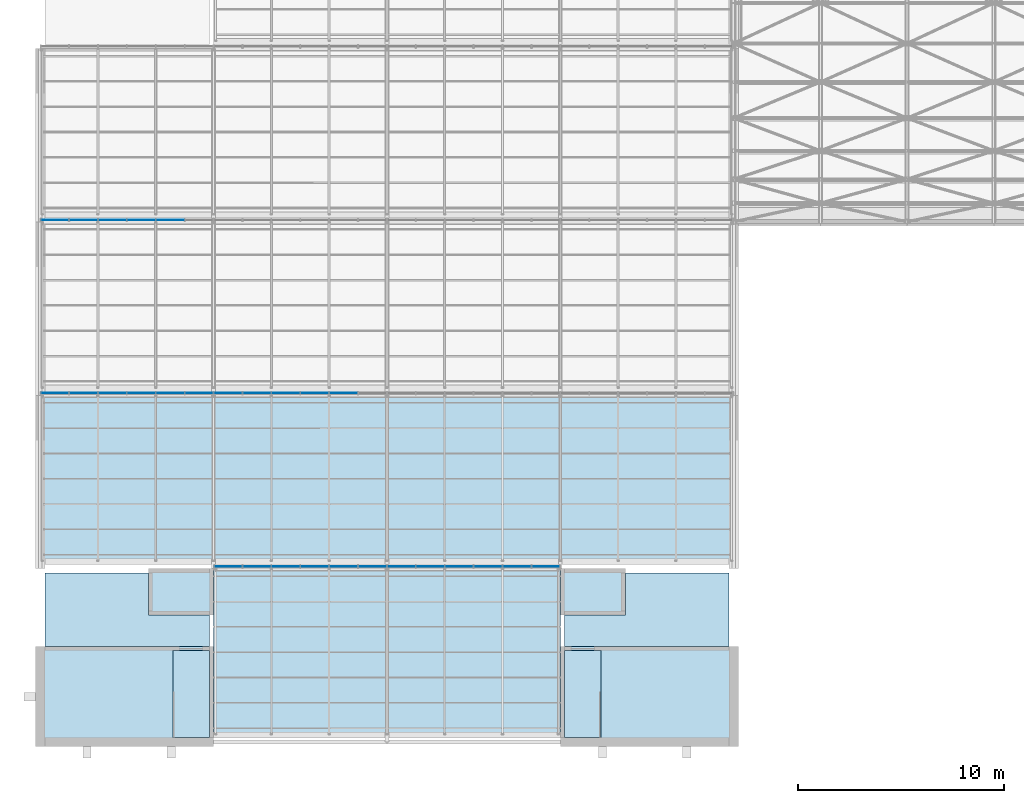
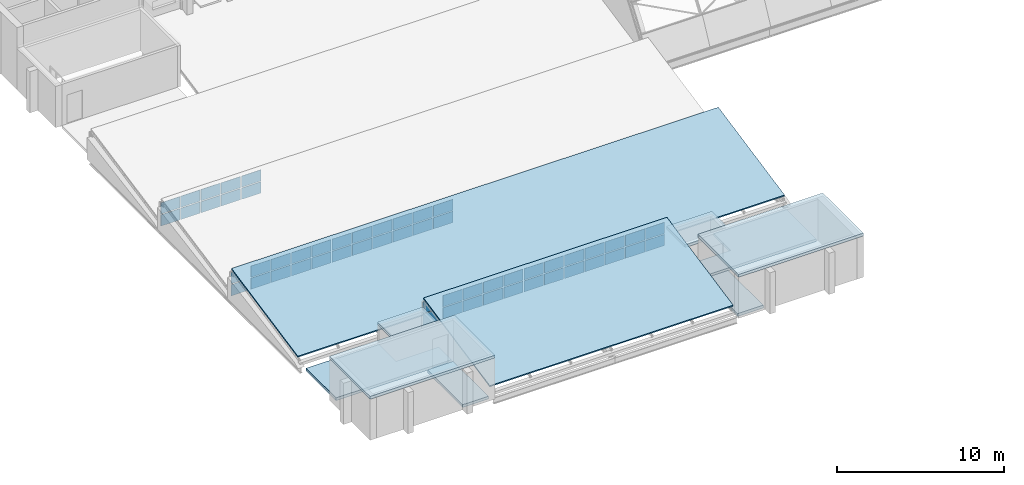
# One storey, part 68 of 121: 56 plates, 10 slabs, 3 elements without a shape of their own.
"""IFC4 building model written with IfcOpenShell, lengths in metres."""

from ifc_helpers import new_model, si_unit, direction, frame, origin, origin_2d, place, context, subcontext, project, spatial, polyline, rectangle, outline, extrude, material, layer, layer_set, type_object, element, aggregate, save


model = new_model("IFC4")

# Units and contexts
model_context = context("Model", 3, precision=1e-05, world=origin(), true_north=direction((0.0, 1.0)))
body_context = subcontext(model_context, "Body", "Model", "MODEL_VIEW")
ifc_project = project(units=[si_unit("LENGTHUNIT", "METRE"), si_unit("AREAUNIT", "SQUARE_METRE"), si_unit("VOLUMEUNIT", "CUBIC_METRE"), si_unit("PLANEANGLEUNIT", "RADIAN"), si_unit("MASSUNIT", "GRAM", prefix="KILO")], contexts=[model_context])

# Site, building, storey
site_placement = place(None, origin())
site = spatial("IfcSite", under=ifc_project, at=site_placement, CompositionType="ELEMENT")
building_placement = place(site_placement, origin())
building = spatial("IfcBuilding", under=site, at=building_placement, Name="Ardhachandra Cancer Care Centre", CompositionType="ELEMENT")
storey_placement = place(building_placement, frame((0.0, 0.0, 9.0)))
storey = spatial("IfcBuildingStorey", under=building, at=storey_placement, Name="L02", CompositionType="ELEMENT", Elevation=9.0)

# Slabs
ifc_material_1 = material(Name="Concrete M40", Category="concrete")
ifc_layer_1 = layer(ifc_material_1, 0.199951171875)
ifc_layer_set_1 = layer_set([ifc_layer_1], Name="Concrete M40")
slab_type_1 = type_object("IfcSlabType", Name="Core head-house floor slab 200", PredefinedType="FLOOR", material=ifc_layer_set_1)
slab_1_placement = place(storey_placement, frame((0.0, 0.0, -0.199951171875)))
element("IfcSlab", 1, at=slab_1_placement, inside=storey, type_object=slab_type_1, Name="Stair head-house floor slab K1 1", PredefinedType="FLOOR", context=body_context, shape_type="SweptSolid", body=[
    extrude(outline(polyline([(17.22509765625, 29.625), (17.22509765625, 33.824951171875), (19.0, 33.824951171875), (19.0, 29.625), (17.22509765625, 29.625)])), origin(), (0.0, 0.0, 1.0), 0.199951171875),
])
slab_2_placement = place(storey_placement, frame((0.0, 0.0, -0.199951171875)))
element("IfcSlab", 2, at=slab_2_placement, inside=storey, type_object=slab_type_1, Name="Stair head-house floor slab K2 1", PredefinedType="FLOOR", context=body_context, shape_type="SweptSolid", body=[
    extrude(outline(polyline([(37.97509765625, 29.625), (37.97509765625, 33.824951171875), (36.199951171875, 33.824951171875), (36.199951171875, 29.625), (37.97509765625, 29.625)])), origin(), (0.0, 0.0, 1.0), 0.199951171875),
])
ifc_material_2 = material(Name="Concrete M40", Category="concrete")
ifc_layer_2 = layer(ifc_material_2, 0.199951171875)
ifc_layer_set_2 = layer_set([ifc_layer_2], Name="Concrete M40")
slab_type_2 = type_object("IfcSlabType", Name="Core roof slab 200", PredefinedType="ROOF", material=ifc_layer_set_2)
slab_3_placement = place(storey_placement, frame((0.0, 0.0, -0.199951171875)))
element("IfcSlab", 3, at=slab_3_placement, inside=storey, type_object=slab_type_2, Name="Core roof slab K1 2", PredefinedType="ROOF", context=body_context, shape_type="SweptSolid", body=[
    extrude(outline(polyline([(16.050048828125, 37.60009765625), (16.050048828125, 35.75), (16.050048828125, 35.550048828125), (19.0, 35.550048828125), (19.0, 34.02490234375), (11.02490234375, 34.02490234375), (11.02490234375, 37.60009765625), (16.050048828125, 37.60009765625)])), origin(), (0.0, 0.0, 1.0), 0.199951171875),
])
slab_4_placement = place(storey_placement, frame((0.0, 0.0, -0.199951171875)))
element("IfcSlab", 4, at=slab_4_placement, inside=storey, type_object=slab_type_2, Name="Core roof slab K2 2", PredefinedType="ROOF", context=body_context, shape_type="SweptSolid", body=[
    extrude(outline(polyline([(39.14990234375, 37.60009765625), (39.14990234375, 35.75), (39.14990234375, 35.550048828125), (36.199951171875, 35.550048828125), (36.199951171875, 34.02490234375), (44.175048828125, 34.02490234375), (44.175048828125, 37.60009765625), (39.14990234375, 37.60009765625)])), origin(), (0.0, 0.0, 1.0), 0.199951171875),
])

# Curtain wall, plates
ifc_material_3 = material(Name="Aluminium extrusion", Category="aluminium")
ifc_layer_3 = layer(ifc_material_3, 0.14990234375)
ifc_layer_set_3 = layer_set([ifc_layer_3], Name="Aluminium extrusion")
curtain_wall_type = type_object("IfcCurtainWallType", Name="Curtain wall run", PredefinedType="NOTDEFINED", material=ifc_layer_set_3)
curtain_wall_1_placement = place(storey_placement, origin())
curtain_wall_1 = element("IfcCurtainWall", 5, at=curtain_wall_1_placement, inside=storey, type_object=curtain_wall_type, Name="Curtain wall L02 n/0019200_0037900", PredefinedType="NOTDEFINED")
ifc_material_4 = material(Name="Low-iron double-glazed unit")
ifc_layer_4 = layer(ifc_material_4, 0.028076171875)
ifc_layer_set_4 = layer_set([ifc_layer_4], Name="Low-iron double-glazed unit")
plate_type_1 = type_object("IfcPlateType", Name="Curtain wall glazing 28", PredefinedType="CURTAIN_PANEL", material=ifc_layer_set_4)
plate_1_placement = place(storey_placement, frame((19.9150390625, 37.89990234375, 0.93994140625), z_axis=(0.0, 0.0, 1.0), x_axis=(1.0, 0.0, 0.0)))
plate_1 = element("IfcPlate", 6, at=plate_1_placement, type_object=plate_type_1, Name="CW panel 1.2", PredefinedType="CURTAIN_PANEL", context=body_context, shape_type="SweptSolid", body=[
    extrude(rectangle(XDim=1.31005859375, YDim=0.028076171875, at=origin_2d()), origin(), (0.0, 0.0, 1.0), 0.820068359375),
])
plate_2_placement = place(storey_placement, frame((21.300048828125, 37.89990234375, 0.93994140625), z_axis=(0.0, 0.0, 1.0), x_axis=(1.0, 0.0, 0.0)))
plate_2 = element("IfcPlate", 7, at=plate_2_placement, type_object=plate_type_1, Name="CW panel 2.2", PredefinedType="CURTAIN_PANEL", context=body_context, shape_type="SweptSolid", body=[
    extrude(rectangle(XDim=1.340087890625, YDim=0.028076171875, at=origin_2d()), origin(), (0.0, 0.0, 1.0), 0.820068359375),
])
plate_3_placement = place(storey_placement, frame((22.699951171875, 37.89990234375, 0.93994140625), z_axis=(0.0, 0.0, 1.0), x_axis=(1.0, 0.0, 0.0)))
plate_3 = element("IfcPlate", 8, at=plate_3_placement, type_object=plate_type_1, Name="CW panel 3.2", PredefinedType="CURTAIN_PANEL", context=body_context, shape_type="SweptSolid", body=[
    extrude(rectangle(XDim=1.340087890625, YDim=0.028076171875, at=origin_2d()), origin(), (0.0, 0.0, 1.0), 0.820068359375),
])
plate_4_placement = place(storey_placement, frame((24.10009765625, 37.89990234375, 0.93994140625), z_axis=(0.0, 0.0, 1.0), x_axis=(1.0, 0.0, 0.0)))
plate_4 = element("IfcPlate", 9, at=plate_4_placement, type_object=plate_type_1, Name="CW panel 4.2", PredefinedType="CURTAIN_PANEL", context=body_context, shape_type="SweptSolid", body=[
    extrude(rectangle(XDim=1.340087890625, YDim=0.028076171875, at=origin_2d()), origin(), (0.0, 0.0, 1.0), 0.820068359375),
])
plate_5_placement = place(storey_placement, frame((25.5, 37.89990234375, 0.93994140625), z_axis=(0.0, 0.0, 1.0), x_axis=(1.0, 0.0, 0.0)))
plate_5 = element("IfcPlate", 10, at=plate_5_placement, type_object=plate_type_1, Name="CW panel 5.2", PredefinedType="CURTAIN_PANEL", context=body_context, shape_type="SweptSolid", body=[
    extrude(rectangle(XDim=1.340087890625, YDim=0.028076171875, at=origin_2d()), origin(), (0.0, 0.0, 1.0), 0.820068359375),
])
plate_6_placement = place(storey_placement, frame((26.89990234375, 37.89990234375, 0.93994140625), z_axis=(0.0, 0.0, 1.0), x_axis=(1.0, 0.0, 0.0)))
plate_6 = element("IfcPlate", 11, at=plate_6_placement, type_object=plate_type_1, Name="CW panel 6.2", PredefinedType="CURTAIN_PANEL", context=body_context, shape_type="SweptSolid", body=[
    extrude(rectangle(XDim=1.340087890625, YDim=0.028076171875, at=origin_2d()), origin(), (0.0, 0.0, 1.0), 0.820068359375),
])
plate_7_placement = place(storey_placement, frame((28.300048828125, 37.89990234375, 0.93994140625), z_axis=(0.0, 0.0, 1.0), x_axis=(1.0, 0.0, 0.0)))
plate_7 = element("IfcPlate", 12, at=plate_7_placement, type_object=plate_type_1, Name="CW panel 7.2", PredefinedType="CURTAIN_PANEL", context=body_context, shape_type="SweptSolid", body=[
    extrude(rectangle(XDim=1.340087890625, YDim=0.028076171875, at=origin_2d()), origin(), (0.0, 0.0, 1.0), 0.820068359375),
])
plate_8_placement = place(storey_placement, frame((29.699951171875, 37.89990234375, 0.93994140625), z_axis=(0.0, 0.0, 1.0), x_axis=(1.0, 0.0, 0.0)))
plate_8 = element("IfcPlate", 13, at=plate_8_placement, type_object=plate_type_1, Name="CW panel 8.2", PredefinedType="CURTAIN_PANEL", context=body_context, shape_type="SweptSolid", body=[
    extrude(rectangle(XDim=1.340087890625, YDim=0.028076171875, at=origin_2d()), origin(), (0.0, 0.0, 1.0), 0.820068359375),
])
plate_9_placement = place(storey_placement, frame((31.10009765625, 37.89990234375, 0.93994140625), z_axis=(0.0, 0.0, 1.0), x_axis=(1.0, 0.0, 0.0)))
plate_9 = element("IfcPlate", 14, at=plate_9_placement, type_object=plate_type_1, Name="CW panel 9.2", PredefinedType="CURTAIN_PANEL", context=body_context, shape_type="SweptSolid", body=[
    extrude(rectangle(XDim=1.340087890625, YDim=0.028076171875, at=origin_2d()), origin(), (0.0, 0.0, 1.0), 0.820068359375),
])
plate_10_placement = place(storey_placement, frame((32.5, 37.89990234375, 0.93994140625), z_axis=(0.0, 0.0, 1.0), x_axis=(1.0, 0.0, 0.0)))
plate_10 = element("IfcPlate", 15, at=plate_10_placement, type_object=plate_type_1, Name="CW panel 10.2", PredefinedType="CURTAIN_PANEL", context=body_context, shape_type="SweptSolid", body=[
    extrude(rectangle(XDim=1.340087890625, YDim=0.028076171875, at=origin_2d()), origin(), (0.0, 0.0, 1.0), 0.820068359375),
])
plate_11_placement = place(storey_placement, frame((33.89990234375, 37.89990234375, 0.93994140625), z_axis=(0.0, 0.0, 1.0), x_axis=(1.0, 0.0, 0.0)))
plate_11 = element("IfcPlate", 16, at=plate_11_placement, type_object=plate_type_1, Name="CW panel 11.2", PredefinedType="CURTAIN_PANEL", context=body_context, shape_type="SweptSolid", body=[
    extrude(rectangle(XDim=1.340087890625, YDim=0.028076171875, at=origin_2d()), origin(), (0.0, 0.0, 1.0), 0.820068359375),
])
plate_12_placement = place(storey_placement, frame((35.284912109375, 37.89990234375, 0.93994140625), z_axis=(0.0, 0.0, 1.0), x_axis=(1.0, 0.0, 0.0)))
plate_12 = element("IfcPlate", 17, at=plate_12_placement, type_object=plate_type_1, Name="CW panel 12.2", PredefinedType="CURTAIN_PANEL", context=body_context, shape_type="SweptSolid", body=[
    extrude(rectangle(XDim=1.31005859375, YDim=0.028076171875, at=origin_2d()), origin(), (0.0, 0.0, 1.0), 0.820068359375),
])

curtain_wall_2_placement = place(storey_placement, origin())
curtain_wall_2 = element("IfcCurtainWall", 18, at=curtain_wall_2_placement, inside=storey, type_object=curtain_wall_type, Name="Curtain wall L02 n/0010800_0046300", PredefinedType="NOTDEFINED")
plate_13_placement = place(storey_placement, frame((11.514892578125, 46.300048828125, 0.93994140625), z_axis=(0.0, 0.0, 1.0), x_axis=(1.0, 0.0, 0.0)))
plate_13 = element("IfcPlate", 19, at=plate_13_placement, type_object=plate_type_1, Name="CW panel 1.2", PredefinedType="CURTAIN_PANEL", context=body_context, shape_type="SweptSolid", body=[
    extrude(rectangle(XDim=1.31005859375, YDim=0.028076171875, at=origin_2d()), origin(), (0.0, 0.0, 1.0), 0.820068359375),
])
plate_14_placement = place(storey_placement, frame((12.89990234375, 46.300048828125, 0.93994140625), z_axis=(0.0, 0.0, 1.0), x_axis=(1.0, 0.0, 0.0)))
plate_14 = element("IfcPlate", 20, at=plate_14_placement, type_object=plate_type_1, Name="CW panel 2.2", PredefinedType="CURTAIN_PANEL", context=body_context, shape_type="SweptSolid", body=[
    extrude(rectangle(XDim=1.340087890625, YDim=0.028076171875, at=origin_2d()), origin(), (0.0, 0.0, 1.0), 0.820068359375),
])
plate_15_placement = place(storey_placement, frame((14.300048828125, 46.300048828125, 0.93994140625), z_axis=(0.0, 0.0, 1.0), x_axis=(1.0, 0.0, 0.0)))
plate_15 = element("IfcPlate", 21, at=plate_15_placement, type_object=plate_type_1, Name="CW panel 3.2", PredefinedType="CURTAIN_PANEL", context=body_context, shape_type="SweptSolid", body=[
    extrude(rectangle(XDim=1.340087890625, YDim=0.028076171875, at=origin_2d()), origin(), (0.0, 0.0, 1.0), 0.820068359375),
])
plate_16_placement = place(storey_placement, frame((15.699951171875, 46.300048828125, 0.93994140625), z_axis=(0.0, 0.0, 1.0), x_axis=(1.0, 0.0, 0.0)))
plate_16 = element("IfcPlate", 22, at=plate_16_placement, type_object=plate_type_1, Name="CW panel 4.2", PredefinedType="CURTAIN_PANEL", context=body_context, shape_type="SweptSolid", body=[
    extrude(rectangle(XDim=1.340087890625, YDim=0.028076171875, at=origin_2d()), origin(), (0.0, 0.0, 1.0), 0.820068359375),
])
plate_17_placement = place(storey_placement, frame((17.10009765625, 46.300048828125, 0.93994140625), z_axis=(0.0, 0.0, 1.0), x_axis=(1.0, 0.0, 0.0)))
plate_17 = element("IfcPlate", 23, at=plate_17_placement, type_object=plate_type_1, Name="CW panel 5.2", PredefinedType="CURTAIN_PANEL", context=body_context, shape_type="SweptSolid", body=[
    extrude(rectangle(XDim=1.340087890625, YDim=0.028076171875, at=origin_2d()), origin(), (0.0, 0.0, 1.0), 0.820068359375),
])
plate_18_placement = place(storey_placement, frame((18.5, 46.300048828125, 0.93994140625), z_axis=(0.0, 0.0, 1.0), x_axis=(1.0, 0.0, 0.0)))
plate_18 = element("IfcPlate", 24, at=plate_18_placement, type_object=plate_type_1, Name="CW panel 6.2", PredefinedType="CURTAIN_PANEL", context=body_context, shape_type="SweptSolid", body=[
    extrude(rectangle(XDim=1.340087890625, YDim=0.028076171875, at=origin_2d()), origin(), (0.0, 0.0, 1.0), 0.820068359375),
])
plate_19_placement = place(storey_placement, frame((19.89990234375, 46.300048828125, 0.93994140625), z_axis=(0.0, 0.0, 1.0), x_axis=(1.0, 0.0, 0.0)))
plate_19 = element("IfcPlate", 25, at=plate_19_placement, type_object=plate_type_1, Name="CW panel 7.2", PredefinedType="CURTAIN_PANEL", context=body_context, shape_type="SweptSolid", body=[
    extrude(rectangle(XDim=1.340087890625, YDim=0.028076171875, at=origin_2d()), origin(), (0.0, 0.0, 1.0), 0.820068359375),
])
plate_20_placement = place(storey_placement, frame((21.300048828125, 46.300048828125, 0.93994140625), z_axis=(0.0, 0.0, 1.0), x_axis=(1.0, 0.0, 0.0)))
plate_20 = element("IfcPlate", 26, at=plate_20_placement, type_object=plate_type_1, Name="CW panel 8.2", PredefinedType="CURTAIN_PANEL", context=body_context, shape_type="SweptSolid", body=[
    extrude(rectangle(XDim=1.340087890625, YDim=0.028076171875, at=origin_2d()), origin(), (0.0, 0.0, 1.0), 0.820068359375),
])
plate_21_placement = place(storey_placement, frame((22.699951171875, 46.300048828125, 0.93994140625), z_axis=(0.0, 0.0, 1.0), x_axis=(1.0, 0.0, 0.0)))
plate_21 = element("IfcPlate", 27, at=plate_21_placement, type_object=plate_type_1, Name="CW panel 9.2", PredefinedType="CURTAIN_PANEL", context=body_context, shape_type="SweptSolid", body=[
    extrude(rectangle(XDim=1.340087890625, YDim=0.028076171875, at=origin_2d()), origin(), (0.0, 0.0, 1.0), 0.820068359375),
])
plate_22_placement = place(storey_placement, frame((24.10009765625, 46.300048828125, 0.93994140625), z_axis=(0.0, 0.0, 1.0), x_axis=(1.0, 0.0, 0.0)))
plate_22 = element("IfcPlate", 28, at=plate_22_placement, type_object=plate_type_1, Name="CW panel 10.2", PredefinedType="CURTAIN_PANEL", context=body_context, shape_type="SweptSolid", body=[
    extrude(rectangle(XDim=1.340087890625, YDim=0.028076171875, at=origin_2d()), origin(), (0.0, 0.0, 1.0), 0.820068359375),
])
plate_23_placement = place(storey_placement, frame((25.5, 46.300048828125, 0.93994140625), z_axis=(0.0, 0.0, 1.0), x_axis=(1.0, 0.0, 0.0)))
plate_23 = element("IfcPlate", 29, at=plate_23_placement, type_object=plate_type_1, Name="CW panel 11.2", PredefinedType="CURTAIN_PANEL", context=body_context, shape_type="SweptSolid", body=[
    extrude(rectangle(XDim=1.340087890625, YDim=0.028076171875, at=origin_2d()), origin(), (0.0, 0.0, 1.0), 0.820068359375),
])

curtain_wall_3_placement = place(storey_placement, origin())
curtain_wall_3 = element("IfcCurtainWall", 30, at=curtain_wall_3_placement, inside=storey, type_object=curtain_wall_type, Name="Curtain wall L02 n/0010800_0054700", PredefinedType="NOTDEFINED")
plate_24_placement = place(storey_placement, frame((11.514892578125, 54.699951171875, 0.93994140625), z_axis=(0.0, 0.0, 1.0), x_axis=(1.0, 0.0, 0.0)))
plate_24 = element("IfcPlate", 31, at=plate_24_placement, type_object=plate_type_1, Name="CW panel 1.2", PredefinedType="CURTAIN_PANEL", context=body_context, shape_type="SweptSolid", body=[
    extrude(rectangle(XDim=1.31005859375, YDim=0.028076171875, at=origin_2d()), origin(), (0.0, 0.0, 1.0), 0.820068359375),
])
plate_25_placement = place(storey_placement, frame((12.89990234375, 54.699951171875, 0.93994140625), z_axis=(0.0, 0.0, 1.0), x_axis=(1.0, 0.0, 0.0)))
plate_25 = element("IfcPlate", 32, at=plate_25_placement, type_object=plate_type_1, Name="CW panel 2.2", PredefinedType="CURTAIN_PANEL", context=body_context, shape_type="SweptSolid", body=[
    extrude(rectangle(XDim=1.340087890625, YDim=0.028076171875, at=origin_2d()), origin(), (0.0, 0.0, 1.0), 0.820068359375),
])
plate_26_placement = place(storey_placement, frame((14.300048828125, 54.699951171875, 0.93994140625), z_axis=(0.0, 0.0, 1.0), x_axis=(1.0, 0.0, 0.0)))
plate_26 = element("IfcPlate", 33, at=plate_26_placement, type_object=plate_type_1, Name="CW panel 3.2", PredefinedType="CURTAIN_PANEL", context=body_context, shape_type="SweptSolid", body=[
    extrude(rectangle(XDim=1.340087890625, YDim=0.028076171875, at=origin_2d()), origin(), (0.0, 0.0, 1.0), 0.820068359375),
])
plate_27_placement = place(storey_placement, frame((15.699951171875, 54.699951171875, 0.93994140625), z_axis=(0.0, 0.0, 1.0), x_axis=(1.0, 0.0, 0.0)))
plate_27 = element("IfcPlate", 34, at=plate_27_placement, type_object=plate_type_1, Name="CW panel 4.2", PredefinedType="CURTAIN_PANEL", context=body_context, shape_type="SweptSolid", body=[
    extrude(rectangle(XDim=1.340087890625, YDim=0.028076171875, at=origin_2d()), origin(), (0.0, 0.0, 1.0), 0.820068359375),
])
plate_28_placement = place(storey_placement, frame((17.10009765625, 54.699951171875, 0.93994140625), z_axis=(0.0, 0.0, 1.0), x_axis=(1.0, 0.0, 0.0)))
plate_28 = element("IfcPlate", 35, at=plate_28_placement, type_object=plate_type_1, Name="CW panel 5.2", PredefinedType="CURTAIN_PANEL", context=body_context, shape_type="SweptSolid", body=[
    extrude(rectangle(XDim=1.340087890625, YDim=0.028076171875, at=origin_2d()), origin(), (0.0, 0.0, 1.0), 0.820068359375),
])

# Plate
ifc_material_5 = material(Name="Aluminium composite spandrel panel", Category="aluminium")
ifc_layer_5 = layer(ifc_material_5, 0.028076171875)
ifc_layer_set_5 = layer_set([ifc_layer_5], Name="Aluminium composite spandrel panel")
plate_type_2 = type_object("IfcPlateType", Name="Curtain wall spandrel panel 28", PredefinedType="CURTAIN_PANEL", material=ifc_layer_set_5)
plate_29_placement = place(storey_placement, frame((19.9150390625, 37.89990234375, 0.06005859375), z_axis=(0.0, 0.0, 1.0), x_axis=(1.0, 0.0, 0.0)))
plate_29 = element("IfcPlate", 36, at=plate_29_placement, type_object=plate_type_2, Name="CW panel 1.1", PredefinedType="CURTAIN_PANEL", context=body_context, shape_type="SweptSolid", body=[
    extrude(rectangle(XDim=1.31005859375, YDim=0.028076171875, at=origin_2d()), origin(), (0.0, 0.0, 1.0), 0.820068359375),
])

plate_30_placement = place(storey_placement, frame((21.300048828125, 37.89990234375, 0.06005859375), z_axis=(0.0, 0.0, 1.0), x_axis=(1.0, 0.0, 0.0)))
plate_30 = element("IfcPlate", 37, at=plate_30_placement, type_object=plate_type_2, Name="CW panel 2.1", PredefinedType="CURTAIN_PANEL", context=body_context, shape_type="SweptSolid", body=[
    extrude(rectangle(XDim=1.340087890625, YDim=0.028076171875, at=origin_2d()), origin(), (0.0, 0.0, 1.0), 0.820068359375),
])

plate_31_placement = place(storey_placement, frame((22.699951171875, 37.89990234375, 0.06005859375), z_axis=(0.0, 0.0, 1.0), x_axis=(1.0, 0.0, 0.0)))
plate_31 = element("IfcPlate", 38, at=plate_31_placement, type_object=plate_type_2, Name="CW panel 3.1", PredefinedType="CURTAIN_PANEL", context=body_context, shape_type="SweptSolid", body=[
    extrude(rectangle(XDim=1.340087890625, YDim=0.028076171875, at=origin_2d()), origin(), (0.0, 0.0, 1.0), 0.820068359375),
])

plate_32_placement = place(storey_placement, frame((24.10009765625, 37.89990234375, 0.06005859375), z_axis=(0.0, 0.0, 1.0), x_axis=(1.0, 0.0, 0.0)))
plate_32 = element("IfcPlate", 39, at=plate_32_placement, type_object=plate_type_2, Name="CW panel 4.1", PredefinedType="CURTAIN_PANEL", context=body_context, shape_type="SweptSolid", body=[
    extrude(rectangle(XDim=1.340087890625, YDim=0.028076171875, at=origin_2d()), origin(), (0.0, 0.0, 1.0), 0.820068359375),
])

plate_33_placement = place(storey_placement, frame((25.5, 37.89990234375, 0.06005859375), z_axis=(0.0, 0.0, 1.0), x_axis=(1.0, 0.0, 0.0)))
plate_33 = element("IfcPlate", 40, at=plate_33_placement, type_object=plate_type_2, Name="CW panel 5.1", PredefinedType="CURTAIN_PANEL", context=body_context, shape_type="SweptSolid", body=[
    extrude(rectangle(XDim=1.340087890625, YDim=0.028076171875, at=origin_2d()), origin(), (0.0, 0.0, 1.0), 0.820068359375),
])

plate_34_placement = place(storey_placement, frame((26.89990234375, 37.89990234375, 0.06005859375), z_axis=(0.0, 0.0, 1.0), x_axis=(1.0, 0.0, 0.0)))
plate_34 = element("IfcPlate", 41, at=plate_34_placement, type_object=plate_type_2, Name="CW panel 6.1", PredefinedType="CURTAIN_PANEL", context=body_context, shape_type="SweptSolid", body=[
    extrude(rectangle(XDim=1.340087890625, YDim=0.028076171875, at=origin_2d()), origin(), (0.0, 0.0, 1.0), 0.820068359375),
])

plate_35_placement = place(storey_placement, frame((28.300048828125, 37.89990234375, 0.06005859375), z_axis=(0.0, 0.0, 1.0), x_axis=(1.0, 0.0, 0.0)))
plate_35 = element("IfcPlate", 42, at=plate_35_placement, type_object=plate_type_2, Name="CW panel 7.1", PredefinedType="CURTAIN_PANEL", context=body_context, shape_type="SweptSolid", body=[
    extrude(rectangle(XDim=1.340087890625, YDim=0.028076171875, at=origin_2d()), origin(), (0.0, 0.0, 1.0), 0.820068359375),
])

plate_36_placement = place(storey_placement, frame((29.699951171875, 37.89990234375, 0.06005859375), z_axis=(0.0, 0.0, 1.0), x_axis=(1.0, 0.0, 0.0)))
plate_36 = element("IfcPlate", 43, at=plate_36_placement, type_object=plate_type_2, Name="CW panel 8.1", PredefinedType="CURTAIN_PANEL", context=body_context, shape_type="SweptSolid", body=[
    extrude(rectangle(XDim=1.340087890625, YDim=0.028076171875, at=origin_2d()), origin(), (0.0, 0.0, 1.0), 0.820068359375),
])

plate_37_placement = place(storey_placement, frame((31.10009765625, 37.89990234375, 0.06005859375), z_axis=(0.0, 0.0, 1.0), x_axis=(1.0, 0.0, 0.0)))
plate_37 = element("IfcPlate", 44, at=plate_37_placement, type_object=plate_type_2, Name="CW panel 9.1", PredefinedType="CURTAIN_PANEL", context=body_context, shape_type="SweptSolid", body=[
    extrude(rectangle(XDim=1.340087890625, YDim=0.028076171875, at=origin_2d()), origin(), (0.0, 0.0, 1.0), 0.820068359375),
])

plate_38_placement = place(storey_placement, frame((32.5, 37.89990234375, 0.06005859375), z_axis=(0.0, 0.0, 1.0), x_axis=(1.0, 0.0, 0.0)))
plate_38 = element("IfcPlate", 45, at=plate_38_placement, type_object=plate_type_2, Name="CW panel 10.1", PredefinedType="CURTAIN_PANEL", context=body_context, shape_type="SweptSolid", body=[
    extrude(rectangle(XDim=1.340087890625, YDim=0.028076171875, at=origin_2d()), origin(), (0.0, 0.0, 1.0), 0.820068359375),
])

plate_39_placement = place(storey_placement, frame((33.89990234375, 37.89990234375, 0.06005859375), z_axis=(0.0, 0.0, 1.0), x_axis=(1.0, 0.0, 0.0)))
plate_39 = element("IfcPlate", 46, at=plate_39_placement, type_object=plate_type_2, Name="CW panel 11.1", PredefinedType="CURTAIN_PANEL", context=body_context, shape_type="SweptSolid", body=[
    extrude(rectangle(XDim=1.340087890625, YDim=0.028076171875, at=origin_2d()), origin(), (0.0, 0.0, 1.0), 0.820068359375),
])

plate_40_placement = place(storey_placement, frame((35.284912109375, 37.89990234375, 0.06005859375), z_axis=(0.0, 0.0, 1.0), x_axis=(1.0, 0.0, 0.0)))
plate_40 = element("IfcPlate", 47, at=plate_40_placement, type_object=plate_type_2, Name="CW panel 12.1", PredefinedType="CURTAIN_PANEL", context=body_context, shape_type="SweptSolid", body=[
    extrude(rectangle(XDim=1.31005859375, YDim=0.028076171875, at=origin_2d()), origin(), (0.0, 0.0, 1.0), 0.820068359375),
])

aggregate(curtain_wall_1, [plate_29, plate_1, plate_30, plate_2, plate_31, plate_3, plate_32, plate_4, plate_33, plate_5, plate_34, plate_6, plate_35, plate_7, plate_36, plate_8, plate_37, plate_9, plate_38, plate_10, plate_39, plate_11, plate_40, plate_12])

plate_41_placement = place(storey_placement, frame((11.514892578125, 46.300048828125, 0.06005859375), z_axis=(0.0, 0.0, 1.0), x_axis=(1.0, 0.0, 0.0)))
plate_41 = element("IfcPlate", 48, at=plate_41_placement, type_object=plate_type_2, Name="CW panel 1.1", PredefinedType="CURTAIN_PANEL", context=body_context, shape_type="SweptSolid", body=[
    extrude(rectangle(XDim=1.31005859375, YDim=0.028076171875, at=origin_2d()), origin(), (0.0, 0.0, 1.0), 0.820068359375),
])

plate_42_placement = place(storey_placement, frame((12.89990234375, 46.300048828125, 0.06005859375), z_axis=(0.0, 0.0, 1.0), x_axis=(1.0, 0.0, 0.0)))
plate_42 = element("IfcPlate", 49, at=plate_42_placement, type_object=plate_type_2, Name="CW panel 2.1", PredefinedType="CURTAIN_PANEL", context=body_context, shape_type="SweptSolid", body=[
    extrude(rectangle(XDim=1.340087890625, YDim=0.028076171875, at=origin_2d()), origin(), (0.0, 0.0, 1.0), 0.820068359375),
])

plate_43_placement = place(storey_placement, frame((14.300048828125, 46.300048828125, 0.06005859375), z_axis=(0.0, 0.0, 1.0), x_axis=(1.0, 0.0, 0.0)))
plate_43 = element("IfcPlate", 50, at=plate_43_placement, type_object=plate_type_2, Name="CW panel 3.1", PredefinedType="CURTAIN_PANEL", context=body_context, shape_type="SweptSolid", body=[
    extrude(rectangle(XDim=1.340087890625, YDim=0.028076171875, at=origin_2d()), origin(), (0.0, 0.0, 1.0), 0.820068359375),
])

plate_44_placement = place(storey_placement, frame((15.699951171875, 46.300048828125, 0.06005859375), z_axis=(0.0, 0.0, 1.0), x_axis=(1.0, 0.0, 0.0)))
plate_44 = element("IfcPlate", 51, at=plate_44_placement, type_object=plate_type_2, Name="CW panel 4.1", PredefinedType="CURTAIN_PANEL", context=body_context, shape_type="SweptSolid", body=[
    extrude(rectangle(XDim=1.340087890625, YDim=0.028076171875, at=origin_2d()), origin(), (0.0, 0.0, 1.0), 0.820068359375),
])

plate_45_placement = place(storey_placement, frame((17.10009765625, 46.300048828125, 0.06005859375), z_axis=(0.0, 0.0, 1.0), x_axis=(1.0, 0.0, 0.0)))
plate_45 = element("IfcPlate", 52, at=plate_45_placement, type_object=plate_type_2, Name="CW panel 5.1", PredefinedType="CURTAIN_PANEL", context=body_context, shape_type="SweptSolid", body=[
    extrude(rectangle(XDim=1.340087890625, YDim=0.028076171875, at=origin_2d()), origin(), (0.0, 0.0, 1.0), 0.820068359375),
])

plate_46_placement = place(storey_placement, frame((18.5, 46.300048828125, 0.06005859375), z_axis=(0.0, 0.0, 1.0), x_axis=(1.0, 0.0, 0.0)))
plate_46 = element("IfcPlate", 53, at=plate_46_placement, type_object=plate_type_2, Name="CW panel 6.1", PredefinedType="CURTAIN_PANEL", context=body_context, shape_type="SweptSolid", body=[
    extrude(rectangle(XDim=1.340087890625, YDim=0.028076171875, at=origin_2d()), origin(), (0.0, 0.0, 1.0), 0.820068359375),
])

plate_47_placement = place(storey_placement, frame((19.89990234375, 46.300048828125, 0.06005859375), z_axis=(0.0, 0.0, 1.0), x_axis=(1.0, 0.0, 0.0)))
plate_47 = element("IfcPlate", 54, at=plate_47_placement, type_object=plate_type_2, Name="CW panel 7.1", PredefinedType="CURTAIN_PANEL", context=body_context, shape_type="SweptSolid", body=[
    extrude(rectangle(XDim=1.340087890625, YDim=0.028076171875, at=origin_2d()), origin(), (0.0, 0.0, 1.0), 0.820068359375),
])

plate_48_placement = place(storey_placement, frame((21.300048828125, 46.300048828125, 0.06005859375), z_axis=(0.0, 0.0, 1.0), x_axis=(1.0, 0.0, 0.0)))
plate_48 = element("IfcPlate", 55, at=plate_48_placement, type_object=plate_type_2, Name="CW panel 8.1", PredefinedType="CURTAIN_PANEL", context=body_context, shape_type="SweptSolid", body=[
    extrude(rectangle(XDim=1.340087890625, YDim=0.028076171875, at=origin_2d()), origin(), (0.0, 0.0, 1.0), 0.820068359375),
])

plate_49_placement = place(storey_placement, frame((22.699951171875, 46.300048828125, 0.06005859375), z_axis=(0.0, 0.0, 1.0), x_axis=(1.0, 0.0, 0.0)))
plate_49 = element("IfcPlate", 56, at=plate_49_placement, type_object=plate_type_2, Name="CW panel 9.1", PredefinedType="CURTAIN_PANEL", context=body_context, shape_type="SweptSolid", body=[
    extrude(rectangle(XDim=1.340087890625, YDim=0.028076171875, at=origin_2d()), origin(), (0.0, 0.0, 1.0), 0.820068359375),
])

plate_50_placement = place(storey_placement, frame((24.10009765625, 46.300048828125, 0.06005859375), z_axis=(0.0, 0.0, 1.0), x_axis=(1.0, 0.0, 0.0)))
plate_50 = element("IfcPlate", 57, at=plate_50_placement, type_object=plate_type_2, Name="CW panel 10.1", PredefinedType="CURTAIN_PANEL", context=body_context, shape_type="SweptSolid", body=[
    extrude(rectangle(XDim=1.340087890625, YDim=0.028076171875, at=origin_2d()), origin(), (0.0, 0.0, 1.0), 0.820068359375),
])

plate_51_placement = place(storey_placement, frame((25.5, 46.300048828125, 0.06005859375), z_axis=(0.0, 0.0, 1.0), x_axis=(1.0, 0.0, 0.0)))
plate_51 = element("IfcPlate", 58, at=plate_51_placement, type_object=plate_type_2, Name="CW panel 11.1", PredefinedType="CURTAIN_PANEL", context=body_context, shape_type="SweptSolid", body=[
    extrude(rectangle(XDim=1.340087890625, YDim=0.028076171875, at=origin_2d()), origin(), (0.0, 0.0, 1.0), 0.820068359375),
])

aggregate(curtain_wall_2, [plate_41, plate_13, plate_42, plate_14, plate_43, plate_15, plate_44, plate_16, plate_45, plate_17, plate_46, plate_18, plate_47, plate_19, plate_48, plate_20, plate_49, plate_21, plate_50, plate_22, plate_51, plate_23])

plate_52_placement = place(storey_placement, frame((11.514892578125, 54.699951171875, 0.06005859375), z_axis=(0.0, 0.0, 1.0), x_axis=(1.0, 0.0, 0.0)))
plate_52 = element("IfcPlate", 59, at=plate_52_placement, type_object=plate_type_2, Name="CW panel 1.1", PredefinedType="CURTAIN_PANEL", context=body_context, shape_type="SweptSolid", body=[
    extrude(rectangle(XDim=1.31005859375, YDim=0.028076171875, at=origin_2d()), origin(), (0.0, 0.0, 1.0), 0.820068359375),
])

plate_53_placement = place(storey_placement, frame((12.89990234375, 54.699951171875, 0.06005859375), z_axis=(0.0, 0.0, 1.0), x_axis=(1.0, 0.0, 0.0)))
plate_53 = element("IfcPlate", 60, at=plate_53_placement, type_object=plate_type_2, Name="CW panel 2.1", PredefinedType="CURTAIN_PANEL", context=body_context, shape_type="SweptSolid", body=[
    extrude(rectangle(XDim=1.340087890625, YDim=0.028076171875, at=origin_2d()), origin(), (0.0, 0.0, 1.0), 0.820068359375),
])

plate_54_placement = place(storey_placement, frame((14.300048828125, 54.699951171875, 0.06005859375), z_axis=(0.0, 0.0, 1.0), x_axis=(1.0, 0.0, 0.0)))
plate_54 = element("IfcPlate", 61, at=plate_54_placement, type_object=plate_type_2, Name="CW panel 3.1", PredefinedType="CURTAIN_PANEL", context=body_context, shape_type="SweptSolid", body=[
    extrude(rectangle(XDim=1.340087890625, YDim=0.028076171875, at=origin_2d()), origin(), (0.0, 0.0, 1.0), 0.820068359375),
])

plate_55_placement = place(storey_placement, frame((15.699951171875, 54.699951171875, 0.06005859375), z_axis=(0.0, 0.0, 1.0), x_axis=(1.0, 0.0, 0.0)))
plate_55 = element("IfcPlate", 62, at=plate_55_placement, type_object=plate_type_2, Name="CW panel 4.1", PredefinedType="CURTAIN_PANEL", context=body_context, shape_type="SweptSolid", body=[
    extrude(rectangle(XDim=1.340087890625, YDim=0.028076171875, at=origin_2d()), origin(), (0.0, 0.0, 1.0), 0.820068359375),
])

plate_56_placement = place(storey_placement, frame((17.10009765625, 54.699951171875, 0.06005859375), z_axis=(0.0, 0.0, 1.0), x_axis=(1.0, 0.0, 0.0)))
plate_56 = element("IfcPlate", 63, at=plate_56_placement, type_object=plate_type_2, Name="CW panel 5.1", PredefinedType="CURTAIN_PANEL", context=body_context, shape_type="SweptSolid", body=[
    extrude(rectangle(XDim=1.340087890625, YDim=0.028076171875, at=origin_2d()), origin(), (0.0, 0.0, 1.0), 0.820068359375),
])

aggregate(curtain_wall_3, [plate_52, plate_24, plate_53, plate_25, plate_54, plate_26, plate_55, plate_27, plate_56, plate_28])

# Slabs
ifc_material_6 = material(Name="Concrete M40", Category="concrete")
ifc_layer_6 = layer(ifc_material_6, 0.199951171875)
ifc_layer_set_6 = layer_set([ifc_layer_6], Name="Concrete M40")
slab_type_3 = type_object("IfcSlabType", Name="Head-house and overrun roof slab 200", PredefinedType="ROOF", material=ifc_layer_set_6)
slab_5_placement = place(storey_placement, frame((0.0, 0.0, 3.0)))
element("IfcSlab", 64, at=slab_5_placement, inside=storey, type_object=slab_type_3, Name="Stair head-house roof K1", PredefinedType="ROOF", context=body_context, shape_type="SweptSolid", body=[
    extrude(outline(polyline([(10.574951171875, 29.175048828125), (10.574951171875, 34.02490234375), (19.199951171875, 34.02490234375), (19.199951171875, 29.175048828125), (10.574951171875, 29.175048828125)])), origin(), (0.0, 0.0, 1.0), 0.199951171875),
])
slab_6_placement = place(storey_placement, frame((0.0, 0.0, 1.300048828125)))
element("IfcSlab", 65, at=slab_6_placement, inside=storey, type_object=slab_type_3, Name="Lift overrun roof K1A", PredefinedType="ROOF", context=body_context, shape_type="SweptSolid", body=[
    extrude(outline(polyline([(16.050048828125, 37.800048828125), (19.199951171875, 37.800048828125), (19.199951171875, 35.550048828125), (16.050048828125, 35.550048828125), (16.050048828125, 37.800048828125)])), origin(), (0.0, 0.0, 1.0), 0.199951171875),
])
slab_7_placement = place(storey_placement, frame((0.0, 0.0, 3.0)))
element("IfcSlab", 66, at=slab_7_placement, inside=storey, type_object=slab_type_3, Name="Stair head-house roof K2", PredefinedType="ROOF", context=body_context, shape_type="SweptSolid", body=[
    extrude(outline(polyline([(44.625, 29.175048828125), (36.0, 29.175048828125), (36.0, 34.02490234375), (44.625, 34.02490234375), (44.625, 29.175048828125)])), origin(), (0.0, 0.0, 1.0), 0.199951171875),
])
slab_8_placement = place(storey_placement, frame((0.0, 0.0, 1.300048828125)))
element("IfcSlab", 67, at=slab_8_placement, inside=storey, type_object=slab_type_3, Name="Lift overrun roof K2A", PredefinedType="ROOF", context=body_context, shape_type="SweptSolid", body=[
    extrude(outline(polyline([(39.14990234375, 37.800048828125), (39.14990234375, 35.550048828125), (36.0, 35.550048828125), (36.0, 37.800048828125), (39.14990234375, 37.800048828125)])), origin(), (0.0, 0.0, 1.0), 0.199951171875),
])
ifc_material_7 = material(Name="Insulated metal roof sheet (galvalume skins, PIR core)")
ifc_layer_7 = layer(ifc_material_7, 0.10009765625)
ifc_layer_set_7 = layer_set([ifc_layer_7], Name="Insulated metal roof sheet (galvalume skins, PIR core)")
slab_type_4 = type_object("IfcSlabType", Name="Insulated roof sheet 100", PredefinedType="ROOF", material=ifc_layer_set_7)
slab_9_placement = place(storey_placement, frame((19.199951171875, 29.800048828125, 0.587646484375), z_axis=(0.0, -0.198490374626, 0.980102837044), x_axis=(1.0, 0.0, 0.0)))
element("IfcSlab", 68, at=slab_9_placement, inside=storey, type_object=slab_type_4, Name="Roof sheet T1a", PredefinedType="ROOF", context=body_context, shape_type="SweptSolid", body=[
    extrude(outline(polyline([(0.0, 0.0), (16.800048828125, 0.0), (16.800048828125, 8.085936014663634), (0.0, 8.085936014663634), (0.0, 0.0)])), origin(), (0.0, 0.0, -1.0), 0.10009765625),
])
slab_10_placement = place(storey_placement, frame((10.800048828125, 38.199951171875, 0.587646484375), z_axis=(0.0, -0.198490374626, 0.980102837044), x_axis=(1.0, 0.0, 0.0)))
element("IfcSlab", 69, at=slab_10_placement, inside=storey, type_object=slab_type_4, Name="Roof sheet T2a", PredefinedType="ROOF", context=body_context, shape_type="SweptSolid", body=[
    extrude(outline(polyline([(0.0, 0.0), (33.599853515625, 0.0), (33.599853515625, 8.085936014663634), (0.0, 8.085936014663634), (0.0, 0.0)])), origin(), (0.0, 0.0, -1.0), 0.10009765625),
])

save(model, "model.ifc")
